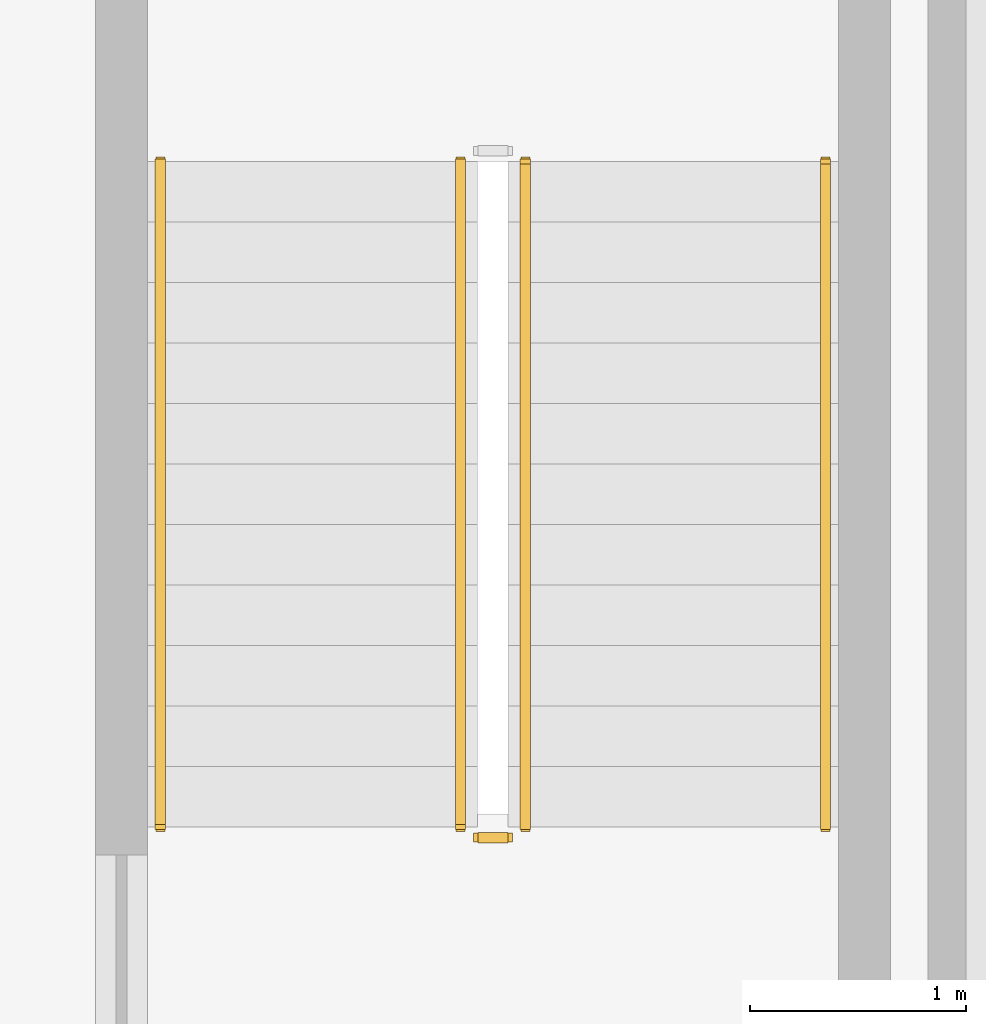
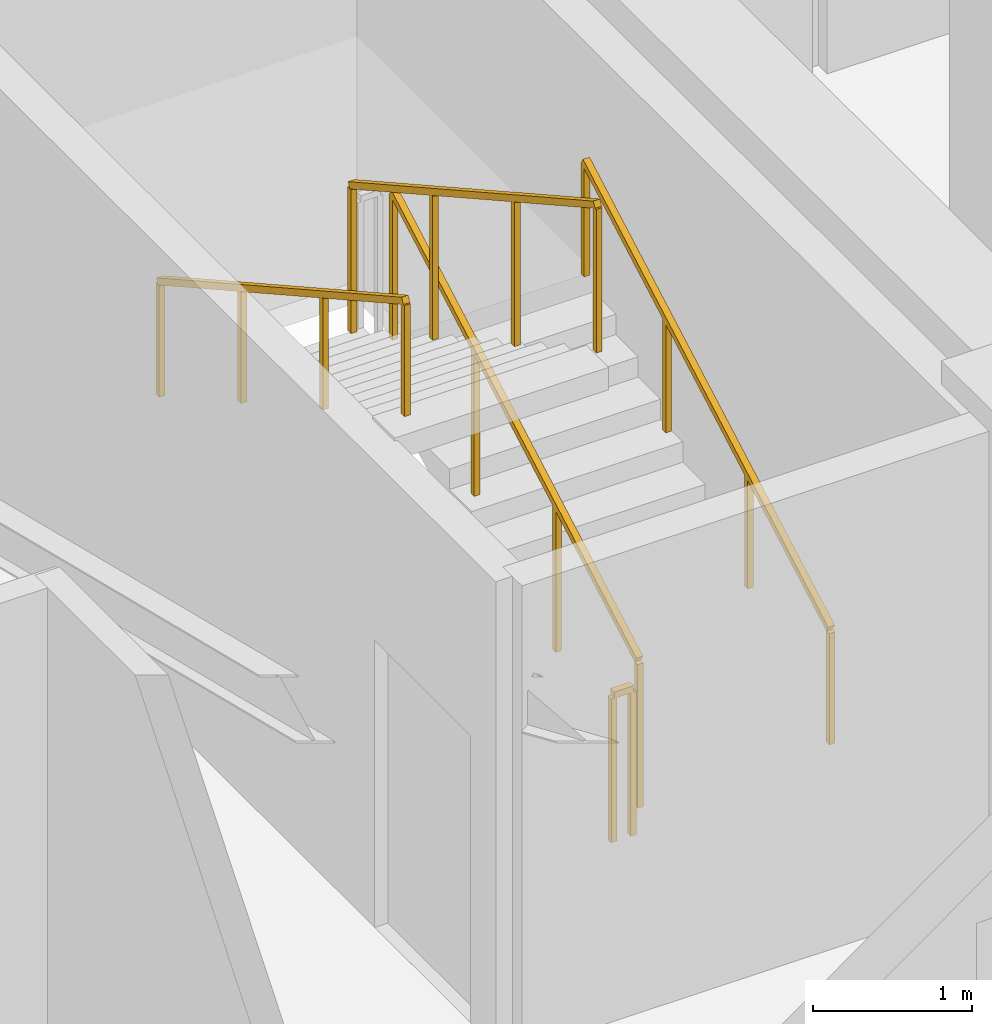
# One storey, part 8 of 10: 5 railings.
"""IFC4 building model written with IfcOpenShell, lengths in metres."""

from ifc_helpers import new_model, si_unit, direction, frame, origin, origin_2d, place, context, subcontext, project, spatial, rectangle, extrude, material, type_object, element, save


model = new_model("IFC4")

# Units and contexts
model_context = context("Model", 3, precision=1e-05, world=origin(), true_north=direction((0.0, 1.0)))
body_context = subcontext(model_context, "Body", "Model", "MODEL_VIEW")
ifc_project = project(units=[si_unit("LENGTHUNIT", "METRE"), si_unit("AREAUNIT", "SQUARE_METRE"), si_unit("VOLUMEUNIT", "CUBIC_METRE"), si_unit("PLANEANGLEUNIT", "RADIAN"), si_unit("MASSUNIT", "GRAM", prefix="KILO")], contexts=[model_context])

# Site, building, storey
site_placement = place(None, origin())
site = spatial("IfcSite", under=ifc_project, at=site_placement, CompositionType="ELEMENT")
building_placement = place(site_placement, origin())
building = spatial("IfcBuilding", under=site, at=building_placement, Name="Liaohun Quay Tower", CompositionType="ELEMENT")
storey_placement = place(building_placement, frame((0.0, 0.0, 216.75)))
storey = spatial("IfcBuildingStorey", under=building, at=storey_placement, Name="L56", CompositionType="ELEMENT", Elevation=216.75)

# Railings
ifc_material_1 = material(Name="Painted tubular steel", Category="steel")
railing_type_1 = type_object("IfcRailingType", Name="RLG-GUARD-STR", PredefinedType="GUARDRAIL", material=ifc_material_1)
railing_1_placement = place(storey_placement, frame((48.81005859375, 48.35009765625, 0.15625)))
element("IfcRailing", 1, at=railing_1_placement, inside=storey, type_object=railing_type_1, Name="L56 ST-1 stair guard 1", PredefinedType="GUARDRAIL", context=body_context, shape_type="SweptSolid", body=[
    extrude(rectangle(XDim=0.048095703125, YDim=0.048095703125, at=origin_2d()), frame((0.0, 0.0, 1.1259765625), z_axis=(0.0, 0.873225103656, 0.487317061414), x_axis=(-1.0, 0.0, 0.0)), (0.0, 0.0, 1.0), 3.52685546875),
    extrude(rectangle(XDim=0.0419921875, YDim=0.0419921875, at=origin_2d()), origin(), (0.0, 0.0, 1.0), 1.101806640625),
    extrude(rectangle(XDim=0.0419921875, YDim=0.0419921875, at=origin_2d()), frame((0.0, 1.026611328125, 0.572998046875)), (0.0, 0.0, 1.0), 1.101806640625),
    extrude(rectangle(XDim=0.0419921875, YDim=0.0419921875, at=origin_2d()), frame((0.0, 2.05322265625, 1.145751953125)), (0.0, 0.0, 1.0), 1.101806640625),
    extrude(rectangle(XDim=0.0419921875, YDim=0.0419921875, at=origin_2d()), frame((0.0, 3.079833984375, 1.71875)), (0.0, 0.0, 1.0), 1.101806640625),
])
railing_2_placement = place(storey_placement, frame((48.510009765625, 51.429931640625, 2.03125)))
element("IfcRailing", 2, at=railing_2_placement, inside=storey, type_object=railing_type_1, Name="L56 ST-1 stair guard 3", PredefinedType="GUARDRAIL", context=body_context, shape_type="SweptSolid", body=[
    extrude(rectangle(XDim=0.048095703125, YDim=0.048095703125, at=origin_2d()), frame((0.0, 0.0, 1.1259765625), z_axis=(0.0, -0.873225103656, 0.487317061414), x_axis=(1.0, 0.0, 0.0)), (0.0, 0.0, 1.0), 3.52685546875),
    extrude(rectangle(XDim=0.0419921875, YDim=0.0419921875, at=origin_2d()), origin(), (0.0, 0.0, 1.0), 1.101806640625),
    extrude(rectangle(XDim=0.0419921875, YDim=0.0419921875, at=origin_2d()), frame((0.0, -1.026611328125, 0.572998046875)), (0.0, 0.0, 1.0), 1.101806640625),
    extrude(rectangle(XDim=0.0419921875, YDim=0.0419921875, at=origin_2d()), frame((0.0, -2.05322265625, 1.145751953125)), (0.0, 0.0, 1.0), 1.101806640625),
    extrude(rectangle(XDim=0.0419921875, YDim=0.0419921875, at=origin_2d()), frame((0.0, -3.079833984375, 1.71875)), (0.0, 0.0, 1.0), 1.101806640625),
])
railing_3_placement = place(storey_placement, frame((48.72998046875, 48.300048828125, 0.0)))
element("IfcRailing", 3, at=railing_3_placement, inside=storey, type_object=railing_type_1, Name="L56 ST-1 stair guard 4", PredefinedType="GUARDRAIL", context=body_context, shape_type="SweptSolid", body=[
    extrude(rectangle(XDim=0.048095703125, YDim=0.048095703125, at=origin_2d()), frame((0.0, 0.0, 1.1259765625), z_axis=(-1.0, 0.0, 0.0), x_axis=(0.0, -1.0, 0.0)), (0.0, 0.0, 1.0), 0.139892578125),
    extrude(rectangle(XDim=0.0419921875, YDim=0.0419921875, at=origin_2d()), origin(), (0.0, 0.0, 1.0), 1.101806640625),
    extrude(rectangle(XDim=0.0419921875, YDim=0.0419921875, at=origin_2d()), frame((-0.139892578125, 0.0, 0.0)), (0.0, 0.0, 1.0), 1.101806640625),
])
ifc_material_2 = material(Name="Brushed stainless steel", Category="steel")
railing_type_2 = type_object("IfcRailingType", Name="RLG-HND-STR", PredefinedType="HANDRAIL", material=ifc_material_2)
railing_4_placement = place(storey_placement, frame((50.199951171875, 48.35009765625, 0.15625)))
element("IfcRailing", 4, at=railing_4_placement, inside=storey, type_object=railing_type_2, Name="L56 ST-1 stair handrail 1", PredefinedType="HANDRAIL", context=body_context, shape_type="SweptSolid", body=[
    extrude(rectangle(XDim=0.048095703125, YDim=0.048095703125, at=origin_2d()), frame((0.0, 0.0, 0.8759765625), z_axis=(0.0, 0.873225103656, 0.487317061414), x_axis=(-1.0, 0.0, 0.0)), (0.0, 0.0, 1.0), 3.52685546875),
    extrude(rectangle(XDim=0.0419921875, YDim=0.0419921875, at=origin_2d()), origin(), (0.0, 0.0, 1.0), 0.851806640625),
    extrude(rectangle(XDim=0.0419921875, YDim=0.0419921875, at=origin_2d()), frame((0.0, 1.026611328125, 0.572998046875)), (0.0, 0.0, 1.0), 0.851806640625),
    extrude(rectangle(XDim=0.0419921875, YDim=0.0419921875, at=origin_2d()), frame((0.0, 2.05322265625, 1.145751953125)), (0.0, 0.0, 1.0), 0.851806640625),
    extrude(rectangle(XDim=0.0419921875, YDim=0.0419921875, at=origin_2d()), frame((0.0, 3.079833984375, 1.71875)), (0.0, 0.0, 1.0), 0.851806640625),
])
railing_5_placement = place(storey_placement, frame((47.1201171875, 51.429931640625, 2.03125)))
element("IfcRailing", 5, at=railing_5_placement, inside=storey, type_object=railing_type_2, Name="L56 ST-1 stair handrail 2", PredefinedType="HANDRAIL", context=body_context, shape_type="SweptSolid", body=[
    extrude(rectangle(XDim=0.048095703125, YDim=0.048095703125, at=origin_2d()), frame((0.0, 0.0, 0.8759765625), z_axis=(0.0, -0.873225103656, 0.487317061414), x_axis=(1.0, 0.0, 0.0)), (0.0, 0.0, 1.0), 3.52685546875),
    extrude(rectangle(XDim=0.0419921875, YDim=0.0419921875, at=origin_2d()), origin(), (0.0, 0.0, 1.0), 0.851806640625),
    extrude(rectangle(XDim=0.0419921875, YDim=0.0419921875, at=origin_2d()), frame((0.0, -1.026611328125, 0.572998046875)), (0.0, 0.0, 1.0), 0.851806640625),
    extrude(rectangle(XDim=0.0419921875, YDim=0.0419921875, at=origin_2d()), frame((0.0, -2.05322265625, 1.145751953125)), (0.0, 0.0, 1.0), 0.851806640625),
    extrude(rectangle(XDim=0.0419921875, YDim=0.0419921875, at=origin_2d()), frame((0.0, -3.079833984375, 1.71875)), (0.0, 0.0, 1.0), 0.851806640625),
])

save(model, "model.ifc")
